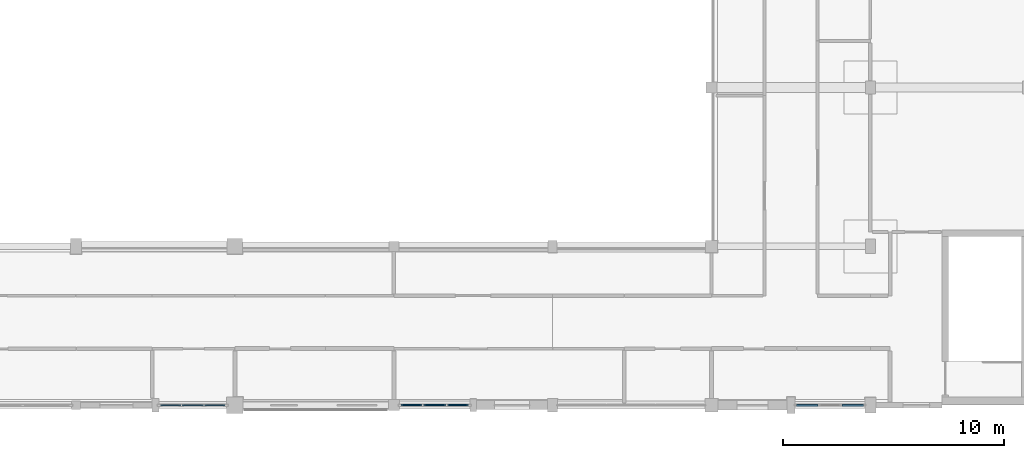
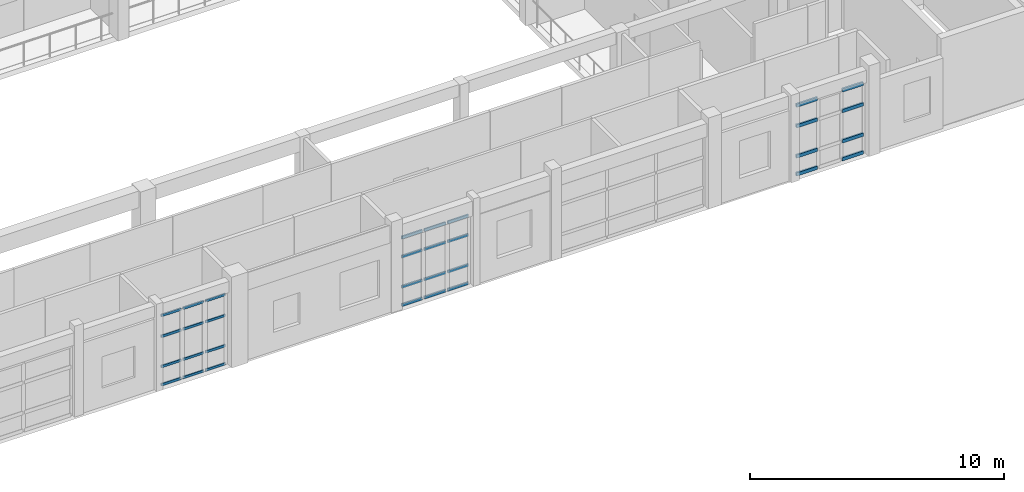
# One storey, part 54 of 110: 32 members, 3 elements without a shape of their own.
"""IFC4 building model written with IfcOpenShell, lengths in metres."""

from ifc_helpers import new_model, si_unit, direction, frame, origin, origin_2d, place, context, subcontext, project, spatial, rectangle, extrude, material, material_profile, profile_set, type_object, element, aggregate, save


model = new_model("IFC4")

# Units and contexts
model_context = context("Model", 3, precision=1e-05, world=origin(), true_north=direction((0.0, 1.0)))
body_context = subcontext(model_context, "Body", "Model", "MODEL_VIEW")
ifc_project = project(units=[si_unit("LENGTHUNIT", "METRE"), si_unit("AREAUNIT", "SQUARE_METRE"), si_unit("VOLUMEUNIT", "CUBIC_METRE"), si_unit("PLANEANGLEUNIT", "RADIAN"), si_unit("MASSUNIT", "GRAM", prefix="KILO")], contexts=[model_context])

# Site, building, storey
site_placement = place(None, origin())
site = spatial("IfcSite", under=ifc_project, at=site_placement, CompositionType="ELEMENT")
building_placement = place(site_placement, origin())
building = spatial("IfcBuilding", under=site, at=building_placement, Name="Steenspoor Specialist Clinic", CompositionType="ELEMENT")
storey_placement = place(building_placement, frame((0.0, 0.0, 4.800048828125)))
storey = spatial("IfcBuildingStorey", under=building, at=storey_placement, Name="L01", CompositionType="ELEMENT", Elevation=4.800048828125)

# Curtain wall, members
ifc_material_1 = material(Name="Thermally broken aluminium and low-emissivity glass", Category="aluminium")
curtain_wall_type_1 = type_object("IfcCurtainWallType", Name="CW-SCR-480X320", PredefinedType="USERDEFINED", material=ifc_material_1)
curtain_wall_1_placement = place(storey_placement, origin())
curtain_wall_1 = element("IfcCurtainWall", 1, at=curtain_wall_1_placement, inside=storey, type_object=curtain_wall_type_1, Name="Unitised Curtain Wall CW-V1-L01-018", ObjectType="UNITISED GLAZING", PredefinedType="USERDEFINED")
ifc_material_2 = material(Name="Thermally broken aluminium 6063-T6", Category="aluminium")
ifc_material_profile_1 = material_profile(ifc_material_2, rectangle(XDim=0.06005859375, YDim=0.114990234375, at=origin_2d()), Name="CWT-60X115")
ifc_profile_set_1 = profile_set([ifc_material_profile_1], Name="Thermally broken aluminium 6063-T6")
member_type_1 = type_object("IfcMemberType", Name="CW-TRAN-60X115", PredefinedType="USERDEFINED", material=ifc_profile_set_1)
member_1_placement = place(storey_placement, frame((80.7451171875, 13.050048828125, 0.030029296875), z_axis=(-1.0, 0.0, 0.0), x_axis=(0.0, -1.0, 0.0)))
member_1 = element("IfcMember", 2, at=member_1_placement, type_object=member_type_1, Name="CW-18 transom 1.1", ObjectType="TRANSOM", PredefinedType="USERDEFINED", context=body_context, shape_type="SweptSolid", body=[
    extrude(rectangle(XDim=0.06005859375, YDim=0.114990234375, at=origin_2d()), origin(), (0.0, 0.0, 1.0), 0.905029296875),
])
member_2_placement = place(storey_placement, frame((80.7451171875, 13.050048828125, 0.89990234375), z_axis=(-1.0, 0.0, 0.0), x_axis=(0.0, -1.0, 0.0)))
member_2 = element("IfcMember", 3, at=member_2_placement, type_object=member_type_1, Name="CW-18 transom 1.2", ObjectType="TRANSOM", PredefinedType="USERDEFINED", context=body_context, shape_type="SweptSolid", body=[
    extrude(rectangle(XDim=0.06005859375, YDim=0.114990234375, at=origin_2d()), origin(), (0.0, 0.0, 1.0), 0.905029296875),
])
member_3_placement = place(storey_placement, frame((80.7451171875, 13.050048828125, 2.349853515625), z_axis=(-1.0, 0.0, 0.0), x_axis=(0.0, -1.0, 0.0)))
member_3 = element("IfcMember", 4, at=member_3_placement, type_object=member_type_1, Name="CW-18 transom 1.3", ObjectType="TRANSOM", PredefinedType="USERDEFINED", context=body_context, shape_type="SweptSolid", body=[
    extrude(rectangle(XDim=0.06005859375, YDim=0.114990234375, at=origin_2d()), origin(), (0.0, 0.0, 1.0), 0.905029296875),
])
member_4_placement = place(storey_placement, frame((80.7451171875, 13.050048828125, 3.349853515625), z_axis=(-1.0, 0.0, 0.0), x_axis=(0.0, -1.0, 0.0)))
member_4 = element("IfcMember", 5, at=member_4_placement, type_object=member_type_1, Name="CW-18 transom 1.4", ObjectType="TRANSOM", PredefinedType="USERDEFINED", context=body_context, shape_type="SweptSolid", body=[
    extrude(rectangle(XDim=0.06005859375, YDim=0.114990234375, at=origin_2d()), origin(), (0.0, 0.0, 1.0), 0.905029296875),
])
member_5_placement = place(storey_placement, frame((79.760009765625, 13.050048828125, 0.030029296875), z_axis=(-1.0, 0.0, 0.0), x_axis=(0.0, -1.0, 0.0)))
member_5 = element("IfcMember", 6, at=member_5_placement, type_object=member_type_1, Name="CW-18 transom 2.1", ObjectType="TRANSOM", PredefinedType="USERDEFINED", context=body_context, shape_type="SweptSolid", body=[
    extrude(rectangle(XDim=0.06005859375, YDim=0.114990234375, at=origin_2d()), origin(), (0.0, 0.0, 1.0), 0.945068359375),
])
member_6_placement = place(storey_placement, frame((79.760009765625, 13.050048828125, 0.89990234375), z_axis=(-1.0, 0.0, 0.0), x_axis=(0.0, -1.0, 0.0)))
member_6 = element("IfcMember", 7, at=member_6_placement, type_object=member_type_1, Name="CW-18 transom 2.2", ObjectType="TRANSOM", PredefinedType="USERDEFINED", context=body_context, shape_type="SweptSolid", body=[
    extrude(rectangle(XDim=0.06005859375, YDim=0.114990234375, at=origin_2d()), origin(), (0.0, 0.0, 1.0), 0.945068359375),
])
member_7_placement = place(storey_placement, frame((79.760009765625, 13.050048828125, 2.349853515625), z_axis=(-1.0, 0.0, 0.0), x_axis=(0.0, -1.0, 0.0)))
member_7 = element("IfcMember", 8, at=member_7_placement, type_object=member_type_1, Name="CW-18 transom 2.3", ObjectType="TRANSOM", PredefinedType="USERDEFINED", context=body_context, shape_type="SweptSolid", body=[
    extrude(rectangle(XDim=0.06005859375, YDim=0.114990234375, at=origin_2d()), origin(), (0.0, 0.0, 1.0), 0.945068359375),
])
member_8_placement = place(storey_placement, frame((79.760009765625, 13.050048828125, 3.349853515625), z_axis=(-1.0, 0.0, 0.0), x_axis=(0.0, -1.0, 0.0)))
member_8 = element("IfcMember", 9, at=member_8_placement, type_object=member_type_1, Name="CW-18 transom 2.4", ObjectType="TRANSOM", PredefinedType="USERDEFINED", context=body_context, shape_type="SweptSolid", body=[
    extrude(rectangle(XDim=0.06005859375, YDim=0.114990234375, at=origin_2d()), origin(), (0.0, 0.0, 1.0), 0.945068359375),
])
member_9_placement = place(storey_placement, frame((78.735107421875, 13.050048828125, 0.030029296875), z_axis=(-1.0, 0.0, 0.0), x_axis=(0.0, -1.0, 0.0)))
member_9 = element("IfcMember", 10, at=member_9_placement, type_object=member_type_1, Name="CW-18 transom 3.1", ObjectType="TRANSOM", PredefinedType="USERDEFINED", context=body_context, shape_type="SweptSolid", body=[
    extrude(rectangle(XDim=0.06005859375, YDim=0.114990234375, at=origin_2d()), origin(), (0.0, 0.0, 1.0), 0.905029296875),
])
member_10_placement = place(storey_placement, frame((78.735107421875, 13.050048828125, 0.89990234375), z_axis=(-1.0, 0.0, 0.0), x_axis=(0.0, -1.0, 0.0)))
member_10 = element("IfcMember", 11, at=member_10_placement, type_object=member_type_1, Name="CW-18 transom 3.2", ObjectType="TRANSOM", PredefinedType="USERDEFINED", context=body_context, shape_type="SweptSolid", body=[
    extrude(rectangle(XDim=0.06005859375, YDim=0.114990234375, at=origin_2d()), origin(), (0.0, 0.0, 1.0), 0.905029296875),
])
member_11_placement = place(storey_placement, frame((78.735107421875, 13.050048828125, 2.349853515625), z_axis=(-1.0, 0.0, 0.0), x_axis=(0.0, -1.0, 0.0)))
member_11 = element("IfcMember", 12, at=member_11_placement, type_object=member_type_1, Name="CW-18 transom 3.3", ObjectType="TRANSOM", PredefinedType="USERDEFINED", context=body_context, shape_type="SweptSolid", body=[
    extrude(rectangle(XDim=0.06005859375, YDim=0.114990234375, at=origin_2d()), origin(), (0.0, 0.0, 1.0), 0.905029296875),
])
member_12_placement = place(storey_placement, frame((78.735107421875, 13.050048828125, 3.349853515625), z_axis=(-1.0, 0.0, 0.0), x_axis=(0.0, -1.0, 0.0)))
member_12 = element("IfcMember", 13, at=member_12_placement, type_object=member_type_1, Name="CW-18 transom 3.4", ObjectType="TRANSOM", PredefinedType="USERDEFINED", context=body_context, shape_type="SweptSolid", body=[
    extrude(rectangle(XDim=0.06005859375, YDim=0.114990234375, at=origin_2d()), origin(), (0.0, 0.0, 1.0), 0.905029296875),
])
aggregate(curtain_wall_1, [member_1, member_2, member_3, member_4, member_5, member_6, member_7, member_8, member_9, member_10, member_11, member_12])

curtain_wall_type_2 = type_object("IfcCurtainWallType", Name="CW-SCR-660X320", PredefinedType="USERDEFINED", material=ifc_material_1)
curtain_wall_2_placement = place(storey_placement, origin())
curtain_wall_2 = element("IfcCurtainWall", 14, at=curtain_wall_2_placement, inside=storey, type_object=curtain_wall_type_2, Name="Unitised Curtain Wall CW-V1-L01-017", ObjectType="UNITISED GLAZING", PredefinedType="USERDEFINED")
ifc_material_profile_2 = material_profile(ifc_material_2, rectangle(XDim=0.06494140625, YDim=0.1298828125, at=origin_2d()), Name="CWT-65X130")
ifc_profile_set_2 = profile_set([ifc_material_profile_2], Name="Thermally broken aluminium 6063-T6")
member_type_2 = type_object("IfcMemberType", Name="CW-TRAN-65X130", PredefinedType="USERDEFINED", material=ifc_profile_set_2)
member_13_placement = place(storey_placement, frame((91.77001953125, 13.050048828125, 0.032470703125), z_axis=(-1.0, 0.0, 0.0), x_axis=(0.0, -1.0, 0.0)))
member_13 = element("IfcMember", 15, at=member_13_placement, type_object=member_type_2, Name="CW-17 transom 1.1", ObjectType="TRANSOM", PredefinedType="USERDEFINED", context=body_context, shape_type="SweptSolid", body=[
    extrude(rectangle(XDim=0.06494140625, YDim=0.1298828125, at=origin_2d()), origin(), (0.0, 0.0, 1.0), 0.93505859375),
])
member_14_placement = place(storey_placement, frame((91.77001953125, 13.050048828125, 0.89990234375), z_axis=(-1.0, 0.0, 0.0), x_axis=(0.0, -1.0, 0.0)))
member_14 = element("IfcMember", 16, at=member_14_placement, type_object=member_type_2, Name="CW-17 transom 1.2", ObjectType="TRANSOM", PredefinedType="USERDEFINED", context=body_context, shape_type="SweptSolid", body=[
    extrude(rectangle(XDim=0.06494140625, YDim=0.1298828125, at=origin_2d()), origin(), (0.0, 0.0, 1.0), 0.93505859375),
])
member_15_placement = place(storey_placement, frame((91.77001953125, 13.050048828125, 2.349853515625), z_axis=(-1.0, 0.0, 0.0), x_axis=(0.0, -1.0, 0.0)))
member_15 = element("IfcMember", 17, at=member_15_placement, type_object=member_type_2, Name="CW-17 transom 1.3", ObjectType="TRANSOM", PredefinedType="USERDEFINED", context=body_context, shape_type="SweptSolid", body=[
    extrude(rectangle(XDim=0.06494140625, YDim=0.1298828125, at=origin_2d()), origin(), (0.0, 0.0, 1.0), 0.93505859375),
])
member_16_placement = place(storey_placement, frame((91.77001953125, 13.050048828125, 3.267333984375), z_axis=(-1.0, 0.0, 0.0), x_axis=(0.0, -1.0, 0.0)))
member_16 = element("IfcMember", 18, at=member_16_placement, type_object=member_type_2, Name="CW-17 transom 1.4", ObjectType="TRANSOM", PredefinedType="USERDEFINED", context=body_context, shape_type="SweptSolid", body=[
    extrude(rectangle(XDim=0.06494140625, YDim=0.1298828125, at=origin_2d()), origin(), (0.0, 0.0, 1.0), 0.93505859375),
])
member_17_placement = place(storey_placement, frame((90.7451171875, 13.050048828125, 0.032470703125), z_axis=(-1.0, 0.0, 0.0), x_axis=(0.0, -1.0, 0.0)))
member_17 = element("IfcMember", 19, at=member_17_placement, type_object=member_type_2, Name="CW-17 transom 2.1", ObjectType="TRANSOM", PredefinedType="USERDEFINED", context=body_context, shape_type="SweptSolid", body=[
    extrude(rectangle(XDim=0.06494140625, YDim=0.1298828125, at=origin_2d()), origin(), (0.0, 0.0, 1.0), 0.980224609375),
])
member_18_placement = place(storey_placement, frame((90.7451171875, 13.050048828125, 0.89990234375), z_axis=(-1.0, 0.0, 0.0), x_axis=(0.0, -1.0, 0.0)))
member_18 = element("IfcMember", 20, at=member_18_placement, type_object=member_type_2, Name="CW-17 transom 2.2", ObjectType="TRANSOM", PredefinedType="USERDEFINED", context=body_context, shape_type="SweptSolid", body=[
    extrude(rectangle(XDim=0.06494140625, YDim=0.1298828125, at=origin_2d()), origin(), (0.0, 0.0, 1.0), 0.980224609375),
])
member_19_placement = place(storey_placement, frame((90.7451171875, 13.050048828125, 2.349853515625), z_axis=(-1.0, 0.0, 0.0), x_axis=(0.0, -1.0, 0.0)))
member_19 = element("IfcMember", 21, at=member_19_placement, type_object=member_type_2, Name="CW-17 transom 2.3", ObjectType="TRANSOM", PredefinedType="USERDEFINED", context=body_context, shape_type="SweptSolid", body=[
    extrude(rectangle(XDim=0.06494140625, YDim=0.1298828125, at=origin_2d()), origin(), (0.0, 0.0, 1.0), 0.980224609375),
])
member_20_placement = place(storey_placement, frame((90.7451171875, 13.050048828125, 3.267333984375), z_axis=(-1.0, 0.0, 0.0), x_axis=(0.0, -1.0, 0.0)))
member_20 = element("IfcMember", 22, at=member_20_placement, type_object=member_type_2, Name="CW-17 transom 2.4", ObjectType="TRANSOM", PredefinedType="USERDEFINED", context=body_context, shape_type="SweptSolid", body=[
    extrude(rectangle(XDim=0.06494140625, YDim=0.1298828125, at=origin_2d()), origin(), (0.0, 0.0, 1.0), 0.980224609375),
])
member_21_placement = place(storey_placement, frame((89.675048828125, 13.050048828125, 0.032470703125), z_axis=(-1.0, 0.0, 0.0), x_axis=(0.0, -1.0, 0.0)))
member_21 = element("IfcMember", 23, at=member_21_placement, type_object=member_type_2, Name="CW-17 transom 3.1", ObjectType="TRANSOM", PredefinedType="USERDEFINED", context=body_context, shape_type="SweptSolid", body=[
    extrude(rectangle(XDim=0.06494140625, YDim=0.1298828125, at=origin_2d()), origin(), (0.0, 0.0, 1.0), 0.93505859375),
])
member_22_placement = place(storey_placement, frame((89.675048828125, 13.050048828125, 0.89990234375), z_axis=(-1.0, 0.0, 0.0), x_axis=(0.0, -1.0, 0.0)))
member_22 = element("IfcMember", 24, at=member_22_placement, type_object=member_type_2, Name="CW-17 transom 3.2", ObjectType="TRANSOM", PredefinedType="USERDEFINED", context=body_context, shape_type="SweptSolid", body=[
    extrude(rectangle(XDim=0.06494140625, YDim=0.1298828125, at=origin_2d()), origin(), (0.0, 0.0, 1.0), 0.93505859375),
])
member_23_placement = place(storey_placement, frame((89.675048828125, 13.050048828125, 2.349853515625), z_axis=(-1.0, 0.0, 0.0), x_axis=(0.0, -1.0, 0.0)))
member_23 = element("IfcMember", 25, at=member_23_placement, type_object=member_type_2, Name="CW-17 transom 3.3", ObjectType="TRANSOM", PredefinedType="USERDEFINED", context=body_context, shape_type="SweptSolid", body=[
    extrude(rectangle(XDim=0.06494140625, YDim=0.1298828125, at=origin_2d()), origin(), (0.0, 0.0, 1.0), 0.93505859375),
])
member_24_placement = place(storey_placement, frame((89.675048828125, 13.050048828125, 3.267333984375), z_axis=(-1.0, 0.0, 0.0), x_axis=(0.0, -1.0, 0.0)))
member_24 = element("IfcMember", 26, at=member_24_placement, type_object=member_type_2, Name="CW-17 transom 3.4", ObjectType="TRANSOM", PredefinedType="USERDEFINED", context=body_context, shape_type="SweptSolid", body=[
    extrude(rectangle(XDim=0.06494140625, YDim=0.1298828125, at=origin_2d()), origin(), (0.0, 0.0, 1.0), 0.93505859375),
])
aggregate(curtain_wall_2, [member_13, member_14, member_15, member_16, member_17, member_18, member_19, member_20, member_21, member_22, member_23, member_24])

curtain_wall_type_3 = type_object("IfcCurtainWallType", Name="CW-TYP-300X355", PredefinedType="USERDEFINED", material=ifc_material_1)
curtain_wall_3_placement = place(storey_placement, origin())
curtain_wall_3 = element("IfcCurtainWall", 27, at=curtain_wall_3_placement, inside=storey, type_object=curtain_wall_type_3, Name="Unitised Curtain Wall CW-V1-L01-015", ObjectType="UNITISED GLAZING", PredefinedType="USERDEFINED")
ifc_material_profile_3 = material_profile(ifc_material_2, rectangle(XDim=0.080078125, YDim=0.159912109375, at=origin_2d()), Name="CWT-80X160")
ifc_profile_set_3 = profile_set([ifc_material_profile_3], Name="Thermally broken aluminium 6063-T6")
member_type_3 = type_object("IfcMemberType", Name="CW-TRAN-80X160", PredefinedType="USERDEFINED", material=ifc_profile_set_3)
member_25_placement = place(storey_placement, frame((109.68505859375, 13.050048828125, 0.0400390625), z_axis=(-1.0, 0.0, 0.0), x_axis=(0.0, -1.0, 0.0)))
member_25 = element("IfcMember", 28, at=member_25_placement, type_object=member_type_3, Name="CW-15 transom 1.1", ObjectType="TRANSOM", PredefinedType="USERDEFINED", context=body_context, shape_type="SweptSolid", body=[
    extrude(rectangle(XDim=0.080078125, YDim=0.159912109375, at=origin_2d()), origin(), (0.0, 0.0, 1.0), 0.955810546875),
])
member_26_placement = place(storey_placement, frame((109.68505859375, 13.050048828125, 0.89990234375), z_axis=(-1.0, 0.0, 0.0), x_axis=(0.0, -1.0, 0.0)))
member_26 = element("IfcMember", 29, at=member_26_placement, type_object=member_type_3, Name="CW-15 transom 1.2", ObjectType="TRANSOM", PredefinedType="USERDEFINED", context=body_context, shape_type="SweptSolid", body=[
    extrude(rectangle(XDim=0.080078125, YDim=0.159912109375, at=origin_2d()), origin(), (0.0, 0.0, 1.0), 0.955810546875),
])
member_27_placement = place(storey_placement, frame((109.68505859375, 13.050048828125, 2.349853515625), z_axis=(-1.0, 0.0, 0.0), x_axis=(0.0, -1.0, 0.0)))
member_27 = element("IfcMember", 30, at=member_27_placement, type_object=member_type_3, Name="CW-15 transom 1.3", ObjectType="TRANSOM", PredefinedType="USERDEFINED", context=body_context, shape_type="SweptSolid", body=[
    extrude(rectangle(XDim=0.080078125, YDim=0.159912109375, at=origin_2d()), origin(), (0.0, 0.0, 1.0), 0.955810546875),
])
member_28_placement = place(storey_placement, frame((109.68505859375, 13.050048828125, 3.33984375), z_axis=(-1.0, 0.0, 0.0), x_axis=(0.0, -1.0, 0.0)))
member_28 = element("IfcMember", 31, at=member_28_placement, type_object=member_type_3, Name="CW-15 transom 1.4", ObjectType="TRANSOM", PredefinedType="USERDEFINED", context=body_context, shape_type="SweptSolid", body=[
    extrude(rectangle(XDim=0.080078125, YDim=0.159912109375, at=origin_2d()), origin(), (0.0, 0.0, 1.0), 0.955810546875),
])
member_29_placement = place(storey_placement, frame((107.61083984375, 13.050048828125, 0.0400390625), z_axis=(-1.0, 0.0, 0.0), x_axis=(0.0, -1.0, 0.0)))
member_29 = element("IfcMember", 32, at=member_29_placement, type_object=member_type_3, Name="CW-15 transom 3.1", ObjectType="TRANSOM", PredefinedType="USERDEFINED", context=body_context, shape_type="SweptSolid", body=[
    extrude(rectangle(XDim=0.080078125, YDim=0.159912109375, at=origin_2d()), origin(), (0.0, 0.0, 1.0), 0.955810546875),
])
member_30_placement = place(storey_placement, frame((107.61083984375, 13.050048828125, 0.89990234375), z_axis=(-1.0, 0.0, 0.0), x_axis=(0.0, -1.0, 0.0)))
member_30 = element("IfcMember", 33, at=member_30_placement, type_object=member_type_3, Name="CW-15 transom 3.2", ObjectType="TRANSOM", PredefinedType="USERDEFINED", context=body_context, shape_type="SweptSolid", body=[
    extrude(rectangle(XDim=0.080078125, YDim=0.159912109375, at=origin_2d()), origin(), (0.0, 0.0, 1.0), 0.955810546875),
])
member_31_placement = place(storey_placement, frame((107.61083984375, 13.050048828125, 2.349853515625), z_axis=(-1.0, 0.0, 0.0), x_axis=(0.0, -1.0, 0.0)))
member_31 = element("IfcMember", 34, at=member_31_placement, type_object=member_type_3, Name="CW-15 transom 3.3", ObjectType="TRANSOM", PredefinedType="USERDEFINED", context=body_context, shape_type="SweptSolid", body=[
    extrude(rectangle(XDim=0.080078125, YDim=0.159912109375, at=origin_2d()), origin(), (0.0, 0.0, 1.0), 0.955810546875),
])
member_32_placement = place(storey_placement, frame((107.61083984375, 13.050048828125, 3.33984375), z_axis=(-1.0, 0.0, 0.0), x_axis=(0.0, -1.0, 0.0)))
member_32 = element("IfcMember", 35, at=member_32_placement, type_object=member_type_3, Name="CW-15 transom 3.4", ObjectType="TRANSOM", PredefinedType="USERDEFINED", context=body_context, shape_type="SweptSolid", body=[
    extrude(rectangle(XDim=0.080078125, YDim=0.159912109375, at=origin_2d()), origin(), (0.0, 0.0, 1.0), 0.955810546875),
])
aggregate(curtain_wall_3, [member_25, member_26, member_27, member_28, member_29, member_30, member_31, member_32])

save(model, "model.ifc")
